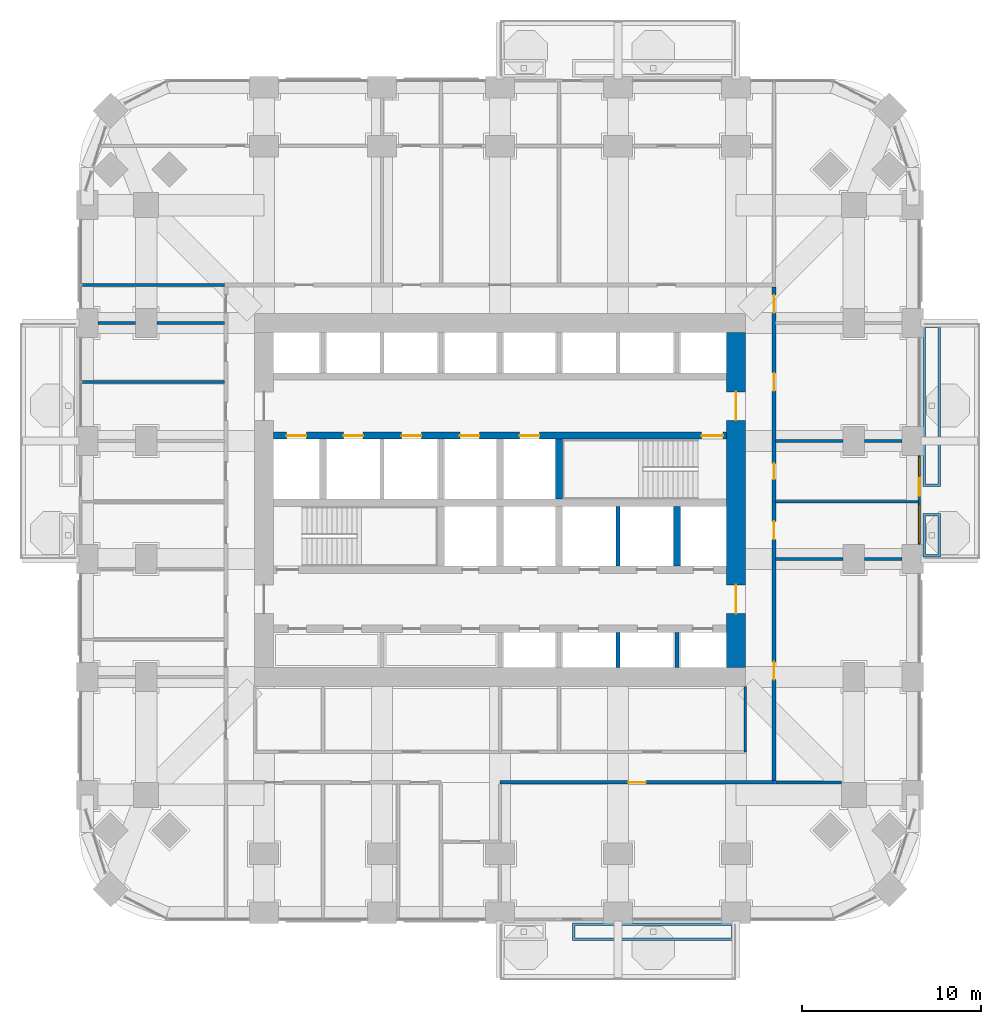
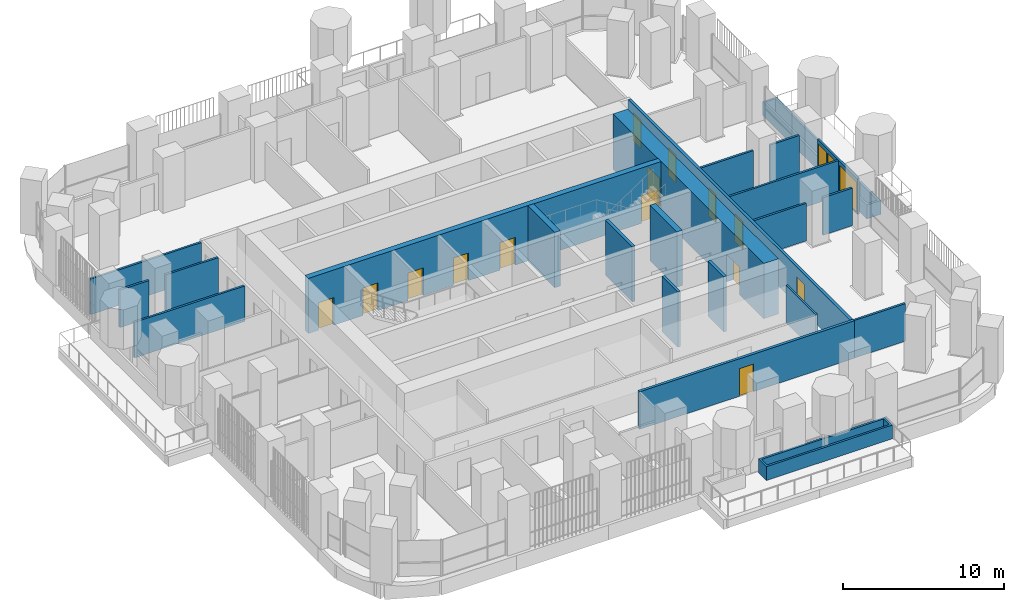
# One storey, part 15 of 21: 24 walls, 15 doors, 2 windows, 17 openings.
"""IFC4 building model written with IfcOpenShell, lengths in metres."""

import ifcopenshell
import ifcopenshell.guid

model = None  # the IFC model being written
_history = None  # IfcOwnerHistory: only IFC2X3 demands one
_inside = {}  # id of a spatial element -> (the spatial element, [elements in it])
_under = {}  # id of a project, library or spatial element -> (it, [spatial elements below it])
_declared = {}  # id of a project -> (the project, [libraries it declares])
_typed = {}  # id of a type object -> (the type object, [elements of that type])
_made_of = {}  # id of a material, layer set ... -> (it, [elements and type objects made of it])


def new_model(schema):
    """Start an empty IFC model of exactly this schema.

    Asked for "IFC4X3", IfcOpenShell would pick the latest addendum, in which some entities
    have other attributes; the version numbers below select the first issue.
    IFC2X3 requires an IfcOwnerHistory on every rooted entity: one is made here for all.
    """
    global model, _history
    if schema == "IFC4X3":
        model = ifcopenshell.file(schema_version=(4, 3, 0, 0))
    else:
        model = ifcopenshell.file(schema=schema)
    _inside.clear()
    _under.clear()
    _declared.clear()
    _typed.clear()
    _made_of.clear()
    _history = None
    if model.schema == "IFC2X3":
        org = make("IfcOrganization", Name="unknown")
        user = make(
            "IfcPersonAndOrganization",
            ThePerson=make("IfcPerson", FamilyName="unknown"),
            TheOrganization=org,
        )
        app = make(
            "IfcApplication",
            ApplicationDeveloper=org,
            Version="unknown",
            ApplicationFullName="unknown",
            ApplicationIdentifier="unknown",
        )
        _history = make(
            "IfcOwnerHistory",
            OwningUser=user,
            OwningApplication=app,
            ChangeAction="ADDED",
            CreationDate=0,
        )
    return model


def make(cls, **values):
    """One entity of the class cls with the attributes given. An attribute that is None is left unset."""
    return model.create_entity(
        cls, **{name: value for name, value in values.items() if value is not None}
    )


def rooted(cls, **values):
    """An entity with a GlobalId (a new one), such as an element, a storey or a relation."""
    return make(cls, GlobalId=ifcopenshell.guid.new(), OwnerHistory=_history, **values)


def si_unit(unit_type, name, prefix=None):
    """IfcSIUnit, for example si_unit("LENGTHUNIT", "METRE", prefix="MILLI")."""
    return make("IfcSIUnit", UnitType=unit_type, Prefix=prefix, Name=name)


def assignment(units):
    """IfcUnitAssignment: the units of a project."""
    return None if units is None else make("IfcUnitAssignment", Units=units)


def point(xyz):
    """IfcCartesianPoint."""
    return None if xyz is None else make("IfcCartesianPoint", Coordinates=xyz)


def direction(xyz):
    """IfcDirection."""
    return None if xyz is None else make("IfcDirection", DirectionRatios=xyz)


def frame(location, z_axis=None, x_axis=None):
    """IfcAxis2Placement3D, a coordinate frame: its origin and axes. An axis left out is left unset."""
    return make(
        "IfcAxis2Placement3D",
        Location=point(location),
        Axis=direction(z_axis),
        RefDirection=direction(x_axis),
    )


def frame_2d(location, x_axis=None):
    """IfcAxis2Placement2D, a coordinate frame in the plane: its origin and x axis."""
    return make(
        "IfcAxis2Placement2D", Location=point(location), RefDirection=direction(x_axis)
    )


def origin():
    """The frame at (0, 0, 0) with its axes left unset."""
    return frame((0.0, 0.0, 0.0))


def place(relative_to, where):
    """IfcLocalPlacement: puts the frame where relative to a parent placement (None: the world)."""
    return make(
        "IfcLocalPlacement", PlacementRelTo=relative_to, RelativePlacement=where
    )


def context(
    kind, dimensions, precision=None, world=None, true_north=None, identifier=None
):
    """IfcGeometricRepresentationContext, for example the 3D "Model" context."""
    return make(
        "IfcGeometricRepresentationContext",
        ContextIdentifier=identifier,
        ContextType=kind,
        CoordinateSpaceDimension=dimensions,
        Precision=precision,
        WorldCoordinateSystem=world,
        TrueNorth=true_north,
    )


def subcontext(parent, identifier, kind, view, scale=None):
    """IfcGeometricRepresentationSubContext, for example "Body" below "Model"."""
    return make(
        "IfcGeometricRepresentationSubContext",
        ContextIdentifier=identifier,
        ContextType=kind,
        ParentContext=parent,
        TargetScale=scale,
        TargetView=view,
    )


def project(units=None, contexts=None):
    """IfcProject with its units and contexts."""
    return rooted(
        "IfcProject",
        Name="project",
        RepresentationContexts=contexts,
        UnitsInContext=assignment(units),
    )


def spatial(cls, under=None, at=None, **own):
    """A site, building, storey or space (cls), placed at a placement, below another one or the project."""
    s = rooted(cls, ObjectPlacement=at, **own)
    if under is not None:
        _under.setdefault(under.id(), (under, []))[1].append(s)
    return s


def polyline(points):
    """IfcPolyline through the points."""
    return make("IfcPolyline", Points=[point(p) for p in points])


def profile(cls, at=None, kind="AREA", **sizes):
    """A parametric profile (cls). Its sizes go by their IFC names, for example OverallWidth=200.0."""
    return make(cls, ProfileType=kind, Position=at, **sizes)


def rectangle(**sizes):
    """IfcRectangleProfileDef."""
    return profile("IfcRectangleProfileDef", **sizes)


def outline(outer, holes=None, kind="AREA"):
    """IfcArbitraryClosedProfileDef: a profile drawn as a closed curve; with holes, ...WithVoids."""
    if holes is None:
        return make("IfcArbitraryClosedProfileDef", ProfileType=kind, OuterCurve=outer)
    return make(
        "IfcArbitraryProfileDefWithVoids",
        ProfileType=kind,
        OuterCurve=outer,
        InnerCurves=holes,
    )


def extrude(swept, where, along, depth):
    """IfcExtrudedAreaSolid: the profile swept, set in the frame where, extruded along a direction by depth."""
    return make(
        "IfcExtrudedAreaSolid",
        SweptArea=swept,
        Position=where,
        ExtrudedDirection=direction(along),
        Depth=depth,
    )


def shape(context_of_items, identifier, shape_type, items):
    """IfcShapeRepresentation: the items that make up one representation, for example the "Body"."""
    return make(
        "IfcShapeRepresentation",
        ContextOfItems=context_of_items,
        RepresentationIdentifier=identifier,
        RepresentationType=shape_type,
        Items=items,
    )


def material(Name=None, Category=None):
    """IfcMaterial."""
    return make("IfcMaterial", Name=Name, Category=Category)


def layer(
    of_material, thickness, ventilated=None, Name=None, Category=None, Priority=None
):
    """IfcMaterialLayer: one layer of a wall or slab, of a material (None: an air gap)."""
    return make(
        "IfcMaterialLayer",
        Material=of_material,
        LayerThickness=thickness,
        IsVentilated=ventilated,
        Name=Name,
        Category=Category,
        Priority=Priority,
    )


def layer_set(layers, Name=None):
    """IfcMaterialLayerSet."""
    return make("IfcMaterialLayerSet", MaterialLayers=layers, LayerSetName=Name)


def made_of(thing, what):
    """Note that an element or type object is made of a material, layer set ...; save() writes the relation."""
    if what is not None:
        _made_of.setdefault(what.id(), (what, []))[1].append(thing)
    return thing


def type_object(cls, material=None, **own):
    """A type object (cls), such as IfcWallType, which elements share."""
    return made_of(rooted(cls, **own), material)


def element(
    cls,
    number,
    at=None,
    inside=None,
    cuts=None,
    type_object=None,
    material=None,
    context=None,
    identifier="Body",
    shape_type=None,
    held_by="IfcProductDefinitionShape",
    body=None,
    shapes=None,
    **own,
):
    """One element of the class cls, such as IfcWall. Its Tag is "e" and its number.

    at: its placement. inside: the storey or other place that contains it. cuts: it is an
    opening in that element (IfcRelVoidsElement). A single representation is given by context,
    identifier, shape_type and body (its items); several are given by shapes. held_by: the class
    of the entity that holds the representations. save() writes the other relations.
    """
    e = rooted(cls, Tag="e%d" % number, ObjectPlacement=at, **own)
    if body is not None:
        shapes = [shape(context, identifier, shape_type, body)]
    if shapes is not None:
        e.Representation = make(held_by, Representations=shapes)
    if inside is not None:
        _inside.setdefault(inside.id(), (inside, []))[1].append(e)
    if cuts is not None:
        rooted(
            "IfcRelVoidsElement", RelatingBuildingElement=cuts, RelatedOpeningElement=e
        )
    if type_object is not None:
        _typed.setdefault(type_object.id(), (type_object, []))[1].append(e)
    return made_of(e, material)


def fill(opening, filler):
    """IfcRelFillsElement: the door or window that sits in an opening."""
    return rooted(
        "IfcRelFillsElement",
        RelatingOpeningElement=opening,
        RelatedBuildingElement=filler,
    )


def aggregate(whole, parts):
    """IfcRelAggregates: a whole, such as a stair, and the parts it consists of."""
    return rooted("IfcRelAggregates", RelatingObject=whole, RelatedObjects=parts)


def save(model, path):
    """Write the relations noted so far, then the file.

    IfcRelAggregates (storeys below a building ...), IfcRelContainedInSpatialStructure (elements
    in a storey), IfcRelDefinesByType, IfcRelAssociatesMaterial and IfcRelDeclares: one each for
    every whole, place, type object, material and project.
    """
    for whole, parts in _under.values():
        aggregate(whole, parts)
    for where, things in _inside.values():
        rooted(
            "IfcRelContainedInSpatialStructure",
            RelatedElements=things,
            RelatingStructure=where,
        )
    for kind, things in _typed.values():
        rooted("IfcRelDefinesByType", RelatedObjects=things, RelatingType=kind)
    for what, things in _made_of.values():
        rooted("IfcRelAssociatesMaterial", RelatedObjects=things, RelatingMaterial=what)
    for by, libraries in _declared.values():
        rooted("IfcRelDeclares", RelatingContext=by, RelatedDefinitions=libraries)
    model.write(path)


model = new_model("IFC4")

# Units and contexts
model_context = context("Model", 3, precision=1e-05, world=origin(), true_north=direction((0.0, 1.0)))
body_context = subcontext(model_context, "Body", "Model", "MODEL_VIEW")
ifc_project = project(units=[si_unit("LENGTHUNIT", "METRE"), si_unit("AREAUNIT", "SQUARE_METRE"), si_unit("VOLUMEUNIT", "CUBIC_METRE"), si_unit("PLANEANGLEUNIT", "RADIAN"), si_unit("MASSUNIT", "GRAM", prefix="KILO")], contexts=[model_context])

# Site, building, storey
site_placement = place(None, origin())
site = spatial("IfcSite", under=ifc_project, at=site_placement, CompositionType="ELEMENT")
building_placement = place(site_placement, origin())
building = spatial("IfcBuilding", under=site, at=building_placement, Name="Cobogo Forest Laboratory Tower", CompositionType="ELEMENT")
storey_placement = place(building_placement, frame((0.0, 0.0, 86.39990234375)))
storey = spatial("IfcBuildingStorey", under=building, at=storey_placement, Name="L19", CompositionType="ELEMENT", Elevation=86.39990234375)

# Wall, openings, doors
ifc_material_1 = material(Name="Concrete HA-50 (C50/60)", Category="concrete")
ifc_layer_1 = layer(ifc_material_1, 0.39990234375)
ifc_layer_set_1 = layer_set([ifc_layer_1], Name="CI400 core inner wall 400")
wall_type_1 = type_object("IfcWallType", Name="CI400 core inner wall 400", PredefinedType="SHEAR", material=ifc_layer_set_1)
wall_1_placement = place(storey_placement, frame((13.72509765625, 26.699951171875, 0.0), z_axis=(0.0, 0.0, 1.0), x_axis=(1.0, 0.0, 0.0)))
wall_1 = element("IfcWall", 1, at=wall_1_placement, inside=storey, type_object=wall_type_1, Name="Core wall CI-26.7 L19", PredefinedType="SHEAR", context=body_context, shape_type="SweptSolid", body=[
    extrude(rectangle(XDim=25.349853515625, YDim=0.39990234375, at=frame_2d((12.6748046875, 0.0))), origin(), (0.0, 0.0, 1.0), 4.2001953125),
])
opening_1_placement = place(wall_1_placement, frame((23.949951171875, 0.0, 0.0)))
opening_1 = element("IfcOpeningElement", 2, at=opening_1_placement, cuts=wall_1, Name="Opening L19-D30", PredefinedType="OPENING", context=body_context, shape_type="SweptSolid", body=[
    extrude(rectangle(XDim=1.199951171875, YDim=2.10009765625, at=frame_2d((0.60009765625, 1.050048828125))), frame((0.0, 0.2099609375, 0.0), z_axis=(0.0, -1.0, 0.0), x_axis=(1.0, 0.0, 0.0)), (0.0, 0.0, 1.0), 0.419921875),
])
opening_2_placement = place(wall_1_placement, frame((0.737548828125, 0.0, 0.0)))
opening_2 = element("IfcOpeningElement", 3, at=opening_2_placement, cuts=wall_1, Name="Opening L19-LD-FL1", PredefinedType="OPENING", context=body_context, shape_type="SweptSolid", body=[
    extrude(rectangle(XDim=1.10009765625, YDim=2.10009765625, at=frame_2d((0.550048828125, 1.050048828125))), frame((0.0, 0.2099609375, 0.0), z_axis=(0.0, -1.0, 0.0), x_axis=(1.0, 0.0, 0.0)), (0.0, 0.0, 1.0), 0.419921875),
])
opening_3_placement = place(wall_1_placement, frame((3.925048828125, 0.0, 0.0)))
opening_3 = element("IfcOpeningElement", 4, at=opening_3_placement, cuts=wall_1, Name="Opening L19-LD-LS3", PredefinedType="OPENING", context=body_context, shape_type="SweptSolid", body=[
    extrude(rectangle(XDim=1.10009765625, YDim=2.10009765625, at=frame_2d((0.550048828125, 1.050048828125))), frame((0.0, 0.2099609375, 0.0), z_axis=(0.0, -1.0, 0.0), x_axis=(1.0, 0.0, 0.0)), (0.0, 0.0, 1.0), 0.419921875),
])
opening_4_placement = place(wall_1_placement, frame((7.175048828125, 0.0, 0.0)))
opening_4 = element("IfcOpeningElement", 5, at=opening_4_placement, cuts=wall_1, Name="Opening L19-LD-LS4", PredefinedType="OPENING", context=body_context, shape_type="SweptSolid", body=[
    extrude(rectangle(XDim=1.10009765625, YDim=2.10009765625, at=frame_2d((0.550048828125, 1.050048828125))), frame((0.0, 0.2099609375, 0.0), z_axis=(0.0, -1.0, 0.0), x_axis=(1.0, 0.0, 0.0)), (0.0, 0.0, 1.0), 0.419921875),
])
opening_5_placement = place(wall_1_placement, frame((10.425048828125, 0.0, 0.0)))
opening_5 = element("IfcOpeningElement", 6, at=opening_5_placement, cuts=wall_1, Name="Opening L19-LD-LS5", PredefinedType="OPENING", context=body_context, shape_type="SweptSolid", body=[
    extrude(rectangle(XDim=1.10009765625, YDim=2.10009765625, at=frame_2d((0.550048828125, 1.050048828125))), frame((0.0, 0.2099609375, 0.0), z_axis=(0.0, -1.0, 0.0), x_axis=(1.0, 0.0, 0.0)), (0.0, 0.0, 1.0), 0.419921875),
])
opening_6_placement = place(wall_1_placement, frame((13.77490234375, 0.0, 0.0)))
opening_6 = element("IfcOpeningElement", 7, at=opening_6_placement, cuts=wall_1, Name="Opening L19-LD-LS6", PredefinedType="OPENING", context=body_context, shape_type="SweptSolid", body=[
    extrude(rectangle(XDim=1.10009765625, YDim=2.10009765625, at=frame_2d((0.550048828125, 1.050048828125))), frame((0.0, 0.2099609375, 0.0), z_axis=(0.0, -1.0, 0.0), x_axis=(1.0, 0.0, 0.0)), (0.0, 0.0, 1.0), 0.419921875),
])
ifc_material_2 = material(Name="Steel fire door", Category="steel")
door_type_1 = type_object("IfcDoorType", Name="DS1 protected stair door 1200 EI2 60", OperationType="SINGLE_SWING_LEFT", PredefinedType="DOOR", material=ifc_material_2)
door_1_placement = place(opening_1_placement, origin())
door_1 = element("IfcDoor", 8, at=door_1_placement, inside=storey, type_object=door_type_1, Name="Door L19-ST2", OperationType="SINGLE_SWING_RIGHT", OverallHeight=2.10009765625, OverallWidth=1.199951171875, PredefinedType="DOOR", context=body_context, shape_type="SweptSolid", body=[
    extrude(rectangle(XDim=1.199951171875, YDim=2.10009765625, at=frame_2d((0.60009765625, 1.050048828125))), frame((0.0, 0.02490234375, 0.0), z_axis=(0.0, -1.0, 0.0), x_axis=(1.0, 0.0, 0.0)), (0.0, 0.0, 1.0), 0.050048828125),
])
fill(opening_1, door_1)
ifc_material_3 = material(Name="Stainless steel lift door", Category="steel")
door_type_2 = type_object("IfcDoorType", Name="LD lift landing door 1100", OperationType="DOUBLE_DOOR_SLIDING", PredefinedType="DOOR", material=ifc_material_3)
door_2_placement = place(opening_2_placement, origin())
door_2 = element("IfcDoor", 9, at=door_2_placement, inside=storey, type_object=door_type_2, Name="Lift landing door FL1 L19", OperationType="DOUBLE_DOOR_SLIDING", OverallHeight=2.10009765625, OverallWidth=1.10009765625, PredefinedType="DOOR", context=body_context, shape_type="SweptSolid", body=[
    extrude(rectangle(XDim=1.10009765625, YDim=2.10009765625, at=frame_2d((0.550048828125, 1.050048828125))), frame((0.0, 0.02490234375, 0.0), z_axis=(0.0, -1.0, 0.0), x_axis=(1.0, 0.0, 0.0)), (0.0, 0.0, 1.0), 0.050048828125),
])
fill(opening_2, door_2)
door_3_placement = place(opening_3_placement, origin())
door_3 = element("IfcDoor", 10, at=door_3_placement, inside=storey, type_object=door_type_2, Name="Lift landing door LS3 L19", OperationType="DOUBLE_DOOR_SLIDING", OverallHeight=2.10009765625, OverallWidth=1.10009765625, PredefinedType="DOOR", context=body_context, shape_type="SweptSolid", body=[
    extrude(rectangle(XDim=1.10009765625, YDim=2.10009765625, at=frame_2d((0.550048828125, 1.050048828125))), frame((0.0, 0.02490234375, 0.0), z_axis=(0.0, -1.0, 0.0), x_axis=(1.0, 0.0, 0.0)), (0.0, 0.0, 1.0), 0.050048828125),
])
fill(opening_3, door_3)
door_4_placement = place(opening_4_placement, origin())
door_4 = element("IfcDoor", 11, at=door_4_placement, inside=storey, type_object=door_type_2, Name="Lift landing door LS4 L19", OperationType="DOUBLE_DOOR_SLIDING", OverallHeight=2.10009765625, OverallWidth=1.10009765625, PredefinedType="DOOR", context=body_context, shape_type="SweptSolid", body=[
    extrude(rectangle(XDim=1.10009765625, YDim=2.10009765625, at=frame_2d((0.550048828125, 1.050048828125))), frame((0.0, 0.02490234375, 0.0), z_axis=(0.0, -1.0, 0.0), x_axis=(1.0, 0.0, 0.0)), (0.0, 0.0, 1.0), 0.050048828125),
])
fill(opening_4, door_4)
door_5_placement = place(opening_5_placement, origin())
door_5 = element("IfcDoor", 12, at=door_5_placement, inside=storey, type_object=door_type_2, Name="Lift landing door LS5 L19", OperationType="DOUBLE_DOOR_SLIDING", OverallHeight=2.10009765625, OverallWidth=1.10009765625, PredefinedType="DOOR", context=body_context, shape_type="SweptSolid", body=[
    extrude(rectangle(XDim=1.10009765625, YDim=2.10009765625, at=frame_2d((0.550048828125, 1.050048828125))), frame((0.0, 0.02490234375, 0.0), z_axis=(0.0, -1.0, 0.0), x_axis=(1.0, 0.0, 0.0)), (0.0, 0.0, 1.0), 0.050048828125),
])
fill(opening_5, door_5)
door_6_placement = place(opening_6_placement, origin())
door_6 = element("IfcDoor", 13, at=door_6_placement, inside=storey, type_object=door_type_2, Name="Lift landing door LS6 L19", OperationType="DOUBLE_DOOR_SLIDING", OverallHeight=2.10009765625, OverallWidth=1.10009765625, PredefinedType="DOOR", context=body_context, shape_type="SweptSolid", body=[
    extrude(rectangle(XDim=1.10009765625, YDim=2.10009765625, at=frame_2d((0.550048828125, 1.050048828125))), frame((0.0, 0.02490234375, 0.0), z_axis=(0.0, -1.0, 0.0), x_axis=(1.0, 0.0, 0.0)), (0.0, 0.0, 1.0), 0.050048828125),
])
fill(opening_6, door_6)

# Walls
for number, where, z_axis, x_axis, name in (
    (14, (36.300048828125, 19.39990234375, 0.0), (0.0, 0.0, 1.0), (0.0, 1.0, 0.0), "Core wall CX-36.3 L19"),
    (15, (29.699951171875, 23.14990234375, 0.0), (0.0, 0.0, 1.0), (0.0, 1.0, 0.0), "Core wall CX-29.7N L19"),
):
    element("IfcWall", number, at=place(storey_placement, frame(where, z_axis=z_axis, x_axis=x_axis)), inside=storey, type_object=wall_type_1, Name=name, PredefinedType="SHEAR", context=body_context, shape_type="SweptSolid", body=[
        extrude(rectangle(XDim=3.35009765625, YDim=0.39990234375, at=frame_2d((1.675048828125, 0.0))), origin(), (0.0, 0.0, 1.0), 4.2001953125),
    ])

# Wall, openings, doors
ifc_layer_2 = layer(ifc_material_1, 1.050048828125)
ifc_layer_set_2 = layer_set([ifc_layer_2], Name="CW1050 core outer wall 1050")
wall_type_2 = type_object("IfcWallType", Name="CW1050 core outer wall 1050", PredefinedType="SHEAR", material=ifc_layer_set_2)
wall_2_placement = place(storey_placement, frame((39.60009765625, 13.72509765625, 0.0), z_axis=(0.0, 0.0, 1.0), x_axis=(0.0, 1.0, 0.0)))
wall_2 = element("IfcWall", 16, at=wall_2_placement, inside=storey, type_object=wall_type_2, Name="Core wall CO-E L19", PredefinedType="SHEAR", context=body_context, shape_type="SweptSolid", body=[
    extrude(rectangle(XDim=18.75, YDim=1.050048828125, at=frame_2d((9.375, 0.0))), origin(), (0.0, 0.0, 1.0), 4.2001953125),
])
opening_7_placement = place(wall_2_placement, frame((3.02490234375, 0.0, 0.0)))
opening_7 = element("IfcOpeningElement", 17, at=opening_7_placement, cuts=wall_2, Name="Opening L19-D20", PredefinedType="OPENING", context=body_context, shape_type="SweptSolid", body=[
    extrude(rectangle(XDim=1.60009765625, YDim=2.10009765625, at=frame_2d((0.800048828125, 1.050048828125))), frame((0.0, 0.534912109375, 0.0), z_axis=(0.0, -1.0, 0.0), x_axis=(1.0, 0.0, 0.0)), (0.0, 0.0, 1.0), 1.070068359375),
])
opening_8_placement = place(wall_2_placement, frame((13.824951171875, 0.0, 0.0)))
opening_8 = element("IfcOpeningElement", 18, at=opening_8_placement, cuts=wall_2, Name="Opening L19-D33", PredefinedType="OPENING", context=body_context, shape_type="SweptSolid", body=[
    extrude(rectangle(XDim=1.60009765625, YDim=2.10009765625, at=frame_2d((0.800048828125, 1.050048828125))), frame((0.0, 0.534912109375, 0.0), z_axis=(0.0, -1.0, 0.0), x_axis=(1.0, 0.0, 0.0)), (0.0, 0.0, 1.0), 1.070068359375),
])
door_type_3 = type_object("IfcDoorType", Name="DS2 protected lobby door pair 1600 EI2 60", OperationType="DOUBLE_DOOR_DOUBLE_SWING", PredefinedType="DOOR", material=ifc_material_2)
door_7_placement = place(opening_7_placement, origin())
door_7 = element("IfcDoor", 19, at=door_7_placement, inside=storey, type_object=door_type_3, Name="Door L19-CO-E-S", OperationType="DOUBLE_DOOR_DOUBLE_SWING", OverallHeight=2.10009765625, OverallWidth=1.60009765625, PredefinedType="DOOR", context=body_context, shape_type="SweptSolid", body=[
    extrude(rectangle(XDim=1.60009765625, YDim=2.10009765625, at=frame_2d((0.800048828125, 1.050048828125))), frame((0.0, 0.02490234375, 0.0), z_axis=(0.0, -1.0, 0.0), x_axis=(1.0, 0.0, 0.0)), (0.0, 0.0, 1.0), 0.050048828125),
])
fill(opening_7, door_7)
door_8_placement = place(opening_8_placement, origin())
door_8 = element("IfcDoor", 20, at=door_8_placement, inside=storey, type_object=door_type_3, Name="Door L19-CO-E-N", OperationType="DOUBLE_DOOR_DOUBLE_SWING", OverallHeight=2.10009765625, OverallWidth=1.60009765625, PredefinedType="DOOR", context=body_context, shape_type="SweptSolid", body=[
    extrude(rectangle(XDim=1.60009765625, YDim=2.10009765625, at=frame_2d((0.800048828125, 1.050048828125))), frame((0.0, 0.02490234375, 0.0), z_axis=(0.0, -1.0, 0.0), x_axis=(1.0, 0.0, 0.0)), (0.0, 0.0, 1.0), 0.050048828125),
])
fill(opening_8, door_8)

# Wall, openings, door, windows
ifc_material_4 = material(Name="Aluminium framed glazed screen", Category="aluminium")
ifc_layer_3 = layer(ifc_material_4, 0.14990234375)
ifc_layer_set_3 = layer_set([ifc_layer_3], Name="GS1 glazed door screen 150")
wall_type_3 = type_object("IfcWallType", Name="GS1 glazed door screen 150", PredefinedType="SOLIDWALL", material=ifc_layer_set_3)
wall_3_placement = place(storey_placement, frame((49.85009765625, 20.60009765625, 0.0), z_axis=(0.0, 0.0, 1.0), x_axis=(0.0, 1.0, 0.0)))
wall_3 = element("IfcWall", 21, at=wall_3_placement, inside=storey, type_object=wall_type_3, Name="Door screen BAL-E1 L19", PredefinedType="SOLIDWALL", context=body_context, shape_type="SweptSolid", body=[
    extrude(rectangle(XDim=5.0, YDim=0.14990234375, at=frame_2d((2.5, 0.0))), origin(), (0.0, 0.0, 1.0), 2.7001953125),
])
opening_9_placement = place(wall_3_placement, frame((2.75, 0.0, 0.0)))
opening_9 = element("IfcOpeningElement", 22, at=opening_9_placement, cuts=wall_3, Name="Opening L19-D27", PredefinedType="OPENING", context=body_context, shape_type="SweptSolid", body=[
    extrude(rectangle(XDim=1.0, YDim=2.39990234375, at=frame_2d((0.5, 1.199951171875))), frame((0.0, 0.0849609375, 0.0), z_axis=(0.0, -1.0, 0.0), x_axis=(1.0, 0.0, 0.0)), (0.0, 0.0, 1.0), 0.169921875),
])
opening_10_placement = place(wall_3_placement, frame((0.10009765625, 0.0, 0.10009765625)))
opening_10 = element("IfcOpeningElement", 23, at=opening_10_placement, cuts=wall_3, Name="Opening L19-W04", PredefinedType="OPENING", context=body_context, shape_type="SweptSolid", body=[
    extrude(rectangle(XDim=2.14990234375, YDim=2.300048828125, at=frame_2d((1.074951171875, 1.14990234375))), frame((0.0, 0.0849609375, 0.0), z_axis=(0.0, -1.0, 0.0), x_axis=(1.0, 0.0, 0.0)), (0.0, 0.0, 1.0), 0.169921875),
])
opening_11_placement = place(wall_3_placement, frame((3.85009765625, 0.0, 0.10009765625)))
opening_11 = element("IfcOpeningElement", 24, at=opening_11_placement, cuts=wall_3, Name="Opening L19-W06", PredefinedType="OPENING", context=body_context, shape_type="SweptSolid", body=[
    extrude(rectangle(XDim=1.050048828125, YDim=2.300048828125, at=frame_2d((0.52490234375, 1.14990234375))), frame((0.0, 0.0849609375, 0.0), z_axis=(0.0, -1.0, 0.0), x_axis=(1.0, 0.0, 0.0)), (0.0, 0.0, 1.0), 0.169921875),
])
ifc_material_5 = material(Name="Aluminium glazed door", Category="aluminium")
door_type_4 = type_object("IfcDoorType", Name="DB1 balcony door 1000 glazed", OperationType="SINGLE_SWING_LEFT", PredefinedType="DOOR", material=ifc_material_5)
door_9_placement = place(opening_9_placement, origin())
door_9 = element("IfcDoor", 25, at=door_9_placement, inside=storey, type_object=door_type_4, Name="Door L19-BAL-E1", OperationType="SINGLE_SWING_RIGHT", OverallHeight=2.39990234375, OverallWidth=1.0, PredefinedType="DOOR", context=body_context, shape_type="SweptSolid", body=[
    extrude(rectangle(XDim=1.0, YDim=2.39990234375, at=frame_2d((0.5, 1.199951171875))), frame((0.0, 0.02490234375, 0.0), z_axis=(0.0, -1.0, 0.0), x_axis=(1.0, 0.0, 0.0)), (0.0, 0.0, 1.0), 0.050048828125),
])
fill(opening_9, door_9)
ifc_material_6 = material(Name="Aluminium framed glazing", Category="aluminium")
window_type_1 = type_object("IfcWindowType", Name="WG13 fixed glazed light 2150x2300", PartitioningType="SINGLE_PANEL", PredefinedType="WINDOW", material=ifc_material_6)
window_1_placement = place(opening_10_placement, origin())
window_1 = element("IfcWindow", 26, at=window_1_placement, inside=storey, type_object=window_type_1, Name="Window L19-BAL-E1-1", OverallHeight=2.300048828125, OverallWidth=2.14990234375, PartitioningType="SINGLE_PANEL", PredefinedType="WINDOW", context=body_context, shape_type="SweptSolid", body=[
    extrude(rectangle(XDim=2.14990234375, YDim=2.300048828125, at=frame_2d((1.074951171875, 1.14990234375))), frame((0.0, 0.030029296875, 0.0), z_axis=(0.0, -1.0, 0.0), x_axis=(1.0, 0.0, 0.0)), (0.0, 0.0, 1.0), 0.06005859375),
])
fill(opening_10, window_1)
window_type_2 = type_object("IfcWindowType", Name="WG14 fixed glazed light 1050x2300", PartitioningType="SINGLE_PANEL", PredefinedType="WINDOW", material=ifc_material_6)
window_2_placement = place(opening_11_placement, origin())
window_2 = element("IfcWindow", 27, at=window_2_placement, inside=storey, type_object=window_type_2, Name="Window L19-BAL-E1-2", OverallHeight=2.300048828125, OverallWidth=1.050048828125, PartitioningType="SINGLE_PANEL", PredefinedType="WINDOW", context=body_context, shape_type="SweptSolid", body=[
    extrude(rectangle(XDim=1.050048828125, YDim=2.300048828125, at=frame_2d((0.52490234375, 1.14990234375))), frame((0.0, 0.030029296875, 0.0), z_axis=(0.0, -1.0, 0.0), x_axis=(1.0, 0.0, 0.0)), (0.0, 0.0, 1.0), 0.06005859375),
])
fill(opening_11, window_2)

# Walls
ifc_material_7 = material(Name="Gypsum board on steel studs", Category="steel")
ifc_layer_4 = layer(ifc_material_7, 0.14990234375)
ifc_layer_set_4 = layer_set([ifc_layer_4], Name="PT1 laboratory partition 150")
wall_type_4 = type_object("IfcWallType", Name="PT1 laboratory partition 150", PredefinedType="PARTITIONING", material=ifc_layer_set_4)
for number, where, z_axis, x_axis, name in (
    (28, (40.125, 12.675048828125, 0.0), (0.0, 0.0, 1.0), (0.0, -1.0, 0.0), "Partition CSTRIP-SE L19"),
    (29, (45.5, 7.300048828125, 0.0), (0.0, 0.0, 1.0), (-1.0, 0.0, 0.0), "Partition PW-SE L19"),
):
    element("IfcWall", number, at=place(storey_placement, frame(where, z_axis=z_axis, x_axis=x_axis)), inside=storey, type_object=wall_type_4, Name=name, PredefinedType="PARTITIONING", context=body_context, shape_type="SweptSolid", body=[
        extrude(rectangle(XDim=3.675048828125, YDim=0.14990234375, at=frame_2d((1.83740234375, 0.0))), origin(), (0.0, 0.0, 1.0), 2.85009765625),
    ])
for number, where, z_axis, x_axis, name in (
    (30, (3.030029296875, 35.125, 0.0), (0.0, 0.0, 1.0), (1.0, 0.0, 0.0), "Partition PW-NW L19"),
    (31, (49.77001953125, 23.0, 0.0), (0.0, 0.0, 1.0), (-1.0, 0.0, 0.0), "Partition SVC-E1-1 L19"),
):
    element("IfcWall", number, at=place(storey_placement, frame(where, z_axis=z_axis, x_axis=x_axis)), inside=storey, type_object=wall_type_4, Name=name, PredefinedType="PARTITIONING", context=body_context, shape_type="SweptSolid", body=[
        extrude(rectangle(XDim=7.945068359375, YDim=0.14990234375, at=frame_2d((3.97265625, 0.0))), origin(), (0.0, 0.0, 1.0), 2.7001953125),
    ])
wall_4_placement = place(storey_placement, frame((48.89990234375, 26.39990234375, 0.0), z_axis=(0.0, 0.0, 1.0), x_axis=(-1.0, 0.0, 0.0)))
element("IfcWall", 32, at=wall_4_placement, inside=storey, type_object=wall_type_4, Name="Partition SVC-E2-1 L19", PredefinedType="PARTITIONING", context=body_context, shape_type="SweptSolid", body=[
    extrude(rectangle(XDim=2.099853515625, YDim=0.14990234375, at=frame_2d((1.0498046875, 0.0))), origin(), (0.0, 0.0, 1.0), 2.85009765625),
])
wall_5_placement = place(storey_placement, frame((45.60009765625, 26.39990234375, 0.0), z_axis=(0.0, 0.0, 1.0), x_axis=(-1.0, 0.0, 0.0)))
element("IfcWall", 33, at=wall_5_placement, inside=storey, type_object=wall_type_4, Name="Partition SVC-E2-2 L19", PredefinedType="PARTITIONING", context=body_context, shape_type="SweptSolid", body=[
    extrude(rectangle(XDim=3.775146484375, YDim=0.14990234375, at=frame_2d((1.8876953125, 0.0))), origin(), (0.0, 0.0, 1.0), 2.85009765625),
])
wall_6_placement = place(storey_placement, frame((48.89990234375, 19.800048828125, 0.0), z_axis=(0.0, 0.0, 1.0), x_axis=(-1.0, 0.0, 0.0)))
element("IfcWall", 34, at=wall_6_placement, inside=storey, type_object=wall_type_4, Name="Partition CUT-E19.8-1 L19", PredefinedType="PARTITIONING", context=body_context, shape_type="SweptSolid", body=[
    extrude(rectangle(XDim=2.099853515625, YDim=0.14990234375, at=frame_2d((1.0498046875, 0.0))), origin(), (0.0, 0.0, 1.0), 2.85009765625),
])
wall_7_placement = place(storey_placement, frame((45.60009765625, 19.800048828125, 0.0), z_axis=(0.0, 0.0, 1.0), x_axis=(-1.0, 0.0, 0.0)))
element("IfcWall", 35, at=wall_7_placement, inside=storey, type_object=wall_type_4, Name="Partition CUT-E19.8-2 L19", PredefinedType="PARTITIONING", context=body_context, shape_type="SweptSolid", body=[
    extrude(rectangle(XDim=3.775146484375, YDim=0.14990234375, at=frame_2d((1.8876953125, 0.0))), origin(), (0.0, 0.0, 1.0), 2.85009765625),
])
wall_8_placement = place(storey_placement, frame((3.030029296875, 29.699951171875, 0.0), z_axis=(0.0, 0.0, 1.0), x_axis=(1.0, 0.0, 0.0)))
element("IfcWall", 36, at=wall_8_placement, inside=storey, type_object=wall_type_4, Name="Partition CUT-W29.7-1 L19", PredefinedType="PARTITIONING", context=body_context, shape_type="SweptSolid", body=[
    extrude(rectangle(XDim=7.945068359375, YDim=0.14990234375, at=frame_2d((3.97265625, 0.0))), origin(), (0.0, 0.0, 1.0), 2.7001953125),
])
wall_9_placement = place(storey_placement, frame((3.89990234375, 33.0, 0.0), z_axis=(0.0, 0.0, 1.0), x_axis=(1.0, 0.0, 0.0)))
element("IfcWall", 37, at=wall_9_placement, inside=storey, type_object=wall_type_4, Name="Partition CUT-W33-1 L19", PredefinedType="PARTITIONING", context=body_context, shape_type="SweptSolid", body=[
    extrude(rectangle(XDim=2.10009765625, YDim=0.14990234375, at=frame_2d((1.050048828125, 0.0))), origin(), (0.0, 0.0, 1.0), 2.85009765625),
])
wall_10_placement = place(storey_placement, frame((7.199951171875, 33.0, 0.0), z_axis=(0.0, 0.0, 1.0), x_axis=(1.0, 0.0, 0.0)))
element("IfcWall", 38, at=wall_10_placement, inside=storey, type_object=wall_type_4, Name="Partition CUT-W33-2 L19", PredefinedType="PARTITIONING", context=body_context, shape_type="SweptSolid", body=[
    extrude(rectangle(XDim=3.775146484375, YDim=0.14990234375, at=frame_2d((1.8876953125, 0.0))), origin(), (0.0, 0.0, 1.0), 2.85009765625),
])

# Wall, opening, door
ifc_layer_5 = layer(ifc_material_7, 0.199951171875)
ifc_layer_set_5 = layer_set([ifc_layer_5], Name="PT2 fire-rated corridor partition 200")
wall_type_5 = type_object("IfcWallType", Name="PT2 fire-rated corridor partition 200", PredefinedType="PARTITIONING", material=ifc_layer_set_5)
wall_11_placement = place(storey_placement, frame((26.39990234375, 7.300048828125, 0.0), z_axis=(0.0, 0.0, 1.0), x_axis=(1.0, 0.0, 0.0)))
wall_11 = element("IfcWall", 39, at=wall_11_placement, inside=storey, type_object=wall_type_5, Name="Partition CORR-S-2 L19", PredefinedType="PARTITIONING", context=body_context, shape_type="SweptSolid", body=[
    extrude(rectangle(XDim=15.425048828125, YDim=0.199951171875, at=frame_2d((7.71240234375, 0.0))), origin(), (0.0, 0.0, 1.0), 2.85009765625),
])
opening_12_placement = place(wall_11_placement, frame((7.16259765625, 0.0, 0.0)))
opening_12 = element("IfcOpeningElement", 40, at=opening_12_placement, cuts=wall_11, Name="Opening L19-D06", PredefinedType="OPENING", context=body_context, shape_type="SweptSolid", body=[
    extrude(rectangle(XDim=1.0, YDim=2.10009765625, at=frame_2d((0.5, 1.050048828125))), frame((0.0, 0.10986328125, 0.0), z_axis=(0.0, -1.0, 0.0), x_axis=(1.0, 0.0, 0.0)), (0.0, 0.0, 1.0), 0.219970703125),
])
ifc_material_8 = material(Name="Timber fire door", Category="wood")
door_type_5 = type_object("IfcDoorType", Name="FD2 fire door 1000 EI2 30", OperationType="SINGLE_SWING_LEFT", PredefinedType="DOOR", material=ifc_material_8)
door_10_placement = place(opening_12_placement, origin())
door_10 = element("IfcDoor", 41, at=door_10_placement, inside=storey, type_object=door_type_5, Name="Door L19-S4", OperationType="SINGLE_SWING_LEFT", OverallHeight=2.10009765625, OverallWidth=1.0, PredefinedType="DOOR", context=body_context, shape_type="SweptSolid", body=[
    extrude(rectangle(XDim=1.0, YDim=2.10009765625, at=frame_2d((0.5, 1.050048828125))), frame((0.0, 0.02490234375, 0.0), z_axis=(0.0, -1.0, 0.0), x_axis=(1.0, 0.0, 0.0)), (0.0, 0.0, 1.0), 0.050048828125),
])
fill(opening_12, door_10)

# Wall, openings, doors
wall_12_placement = place(storey_placement, frame((41.72509765625, 7.39990234375, 0.0), z_axis=(0.0, 0.0, 1.0), x_axis=(0.0, 1.0, 0.0)))
wall_12 = element("IfcWall", 42, at=wall_12_placement, inside=storey, type_object=wall_type_5, Name="Partition CORR-E L19", PredefinedType="PARTITIONING", context=body_context, shape_type="SweptSolid", body=[
    extrude(rectangle(XDim=27.625, YDim=0.199951171875, at=frame_2d((13.8125, 0.0))), origin(), (0.0, 0.0, 1.0), 2.85009765625),
])
opening_13_placement = place(wall_12_placement, frame((5.64990234375, 0.0, 0.0)))
opening_13 = element("IfcOpeningElement", 43, at=opening_13_placement, cuts=wall_12, Name="Opening L19-D12", PredefinedType="OPENING", context=body_context, shape_type="SweptSolid", body=[
    extrude(rectangle(XDim=1.0, YDim=2.10009765625, at=frame_2d((0.5, 1.050048828125))), frame((0.0, 0.10986328125, 0.0), z_axis=(0.0, -1.0, 0.0), x_axis=(1.0, 0.0, 0.0)), (0.0, 0.0, 1.0), 0.219970703125),
])
opening_14_placement = place(wall_12_placement, frame((13.5, 0.0, 0.0)))
opening_14 = element("IfcOpeningElement", 44, at=opening_14_placement, cuts=wall_12, Name="Opening L19-D25", PredefinedType="OPENING", context=body_context, shape_type="SweptSolid", body=[
    extrude(rectangle(XDim=1.0, YDim=2.10009765625, at=frame_2d((0.5, 1.050048828125))), frame((0.0, 0.10986328125, 0.0), z_axis=(0.0, -1.0, 0.0), x_axis=(1.0, 0.0, 0.0)), (0.0, 0.0, 1.0), 0.219970703125),
])
opening_15_placement = place(wall_12_placement, frame((16.85009765625, 0.0, 0.0)))
opening_15 = element("IfcOpeningElement", 45, at=opening_15_placement, cuts=wall_12, Name="Opening L19-D29", PredefinedType="OPENING", context=body_context, shape_type="SweptSolid", body=[
    extrude(rectangle(XDim=0.89990234375, YDim=2.10009765625, at=frame_2d((0.449951171875, 1.050048828125))), frame((0.0, 0.10986328125, 0.0), z_axis=(0.0, -1.0, 0.0), x_axis=(1.0, 0.0, 0.0)), (0.0, 0.0, 1.0), 0.219970703125),
])
opening_16_placement = place(wall_12_placement, frame((21.800048828125, 0.0, 0.0)))
opening_16 = element("IfcOpeningElement", 46, at=opening_16_placement, cuts=wall_12, Name="Opening L19-D34", PredefinedType="OPENING", context=body_context, shape_type="SweptSolid", body=[
    extrude(rectangle(XDim=1.0, YDim=2.10009765625, at=frame_2d((0.5, 1.050048828125))), frame((0.0, 0.10986328125, 0.0), z_axis=(0.0, -1.0, 0.0), x_axis=(1.0, 0.0, 0.0)), (0.0, 0.0, 1.0), 0.219970703125),
])
opening_17_placement = place(wall_12_placement, frame((26.16259765625, 0.0, 0.0)))
opening_17 = element("IfcOpeningElement", 47, at=opening_17_placement, cuts=wall_12, Name="Opening L19-D37", PredefinedType="OPENING", context=body_context, shape_type="SweptSolid", body=[
    extrude(rectangle(XDim=1.0, YDim=2.10009765625, at=frame_2d((0.5, 1.050048828125))), frame((0.0, 0.10986328125, 0.0), z_axis=(0.0, -1.0, 0.0), x_axis=(1.0, 0.0, 0.0)), (0.0, 0.0, 1.0), 0.219970703125),
])
door_type_6 = type_object("IfcDoorType", Name="FD1 fire door 1000 EI2 60", OperationType="SINGLE_SWING_LEFT", PredefinedType="DOOR", material=ifc_material_2)
door_11_placement = place(opening_14_placement, origin())
door_11 = element("IfcDoor", 48, at=door_11_placement, inside=storey, type_object=door_type_6, Name="Door L19-ELEC", OperationType="SINGLE_SWING_RIGHT", OverallHeight=2.10009765625, OverallWidth=1.0, PredefinedType="DOOR", context=body_context, shape_type="SweptSolid", body=[
    extrude(rectangle(XDim=1.0, YDim=2.10009765625, at=frame_2d((0.5, 1.050048828125))), frame((0.0, 0.02490234375, 0.0), z_axis=(0.0, -1.0, 0.0), x_axis=(1.0, 0.0, 0.0)), (0.0, 0.0, 1.0), 0.050048828125),
])
fill(opening_14, door_11)
door_12_placement = place(opening_13_placement, origin())
door_12 = element("IfcDoor", 49, at=door_12_placement, inside=storey, type_object=door_type_5, Name="Door L19-E1", OperationType="SINGLE_SWING_LEFT", OverallHeight=2.10009765625, OverallWidth=1.0, PredefinedType="DOOR", context=body_context, shape_type="SweptSolid", body=[
    extrude(rectangle(XDim=1.0, YDim=2.10009765625, at=frame_2d((0.5, 1.050048828125))), frame((0.0, 0.02490234375, 0.0), z_axis=(0.0, -1.0, 0.0), x_axis=(1.0, 0.0, 0.0)), (0.0, 0.0, 1.0), 0.050048828125),
])
fill(opening_13, door_12)
door_13_placement = place(opening_16_placement, origin())
door_13 = element("IfcDoor", 50, at=door_13_placement, inside=storey, type_object=door_type_5, Name="Door L19-E2", OperationType="SINGLE_SWING_RIGHT", OverallHeight=2.10009765625, OverallWidth=1.0, PredefinedType="DOOR", context=body_context, shape_type="SweptSolid", body=[
    extrude(rectangle(XDim=1.0, YDim=2.10009765625, at=frame_2d((0.5, 1.050048828125))), frame((0.0, 0.02490234375, 0.0), z_axis=(0.0, -1.0, 0.0), x_axis=(1.0, 0.0, 0.0)), (0.0, 0.0, 1.0), 0.050048828125),
])
fill(opening_16, door_13)
door_14_placement = place(opening_17_placement, origin())
door_14 = element("IfcDoor", 51, at=door_14_placement, inside=storey, type_object=door_type_5, Name="Door L19-E3", OperationType="SINGLE_SWING_RIGHT", OverallHeight=2.10009765625, OverallWidth=1.0, PredefinedType="DOOR", context=body_context, shape_type="SweptSolid", body=[
    extrude(rectangle(XDim=1.0, YDim=2.10009765625, at=frame_2d((0.5, 1.050048828125))), frame((0.0, 0.02490234375, 0.0), z_axis=(0.0, -1.0, 0.0), x_axis=(1.0, 0.0, 0.0)), (0.0, 0.0, 1.0), 0.050048828125),
])
fill(opening_17, door_14)
door_type_7 = type_object("IfcDoorType", Name="FD4 riser access door 900 EI2 60", OperationType="SINGLE_SWING_LEFT", PredefinedType="DOOR", material=ifc_material_2)
door_15_placement = place(opening_15_placement, origin())
door_15 = element("IfcDoor", 52, at=door_15_placement, inside=storey, type_object=door_type_7, Name="Door L19-COMMS", OperationType="SINGLE_SWING_RIGHT", OverallHeight=2.10009765625, OverallWidth=0.89990234375, PredefinedType="DOOR", context=body_context, shape_type="SweptSolid", body=[
    extrude(rectangle(XDim=0.89990234375, YDim=2.10009765625, at=frame_2d((0.449951171875, 1.050048828125))), frame((0.0, 0.02490234375, 0.0), z_axis=(0.0, -1.0, 0.0), x_axis=(1.0, 0.0, 0.0)), (0.0, 0.0, 1.0), 0.050048828125),
])
fill(opening_15, door_15)

# Walls
ifc_material_9 = material(Name="Concrete HA-40 (C40/50)", Category="concrete")
ifc_layer_6 = layer(ifc_material_9, 0.14990234375)
ifc_layer_set_6 = layer_set([ifc_layer_6], Name="Planter box 1000x1050")
wall_type_6 = type_object("IfcWallType", Name="Planter box 1000x1050", PredefinedType="USERDEFINED", material=ifc_layer_set_6)
wall_13_placement = place(storey_placement, origin())
element("IfcWall", 53, at=wall_13_placement, inside=storey, type_object=wall_type_6, Name="Planter BAL-S1-2 L19", ObjectType="PLANTER", PredefinedType="USERDEFINED", context=body_context, shape_type="SweptSolid", body=[
    extrude(outline(polyline([(30.449951171875, -1.550048828125), (39.5, -1.550048828125), (39.5, -0.550048828125), (30.449951171875, -0.550048828125), (30.449951171875, -1.550048828125)]), holes=[polyline([(30.60009765625, -1.39990234375), (39.35009765625, -1.39990234375), (39.35009765625, -0.699951171875), (30.60009765625, -0.699951171875), (30.60009765625, -1.39990234375)])]), origin(), (0.0, 0.0, 1.0), 1.050048828125),
])
wall_14_placement = place(storey_placement, origin())
element("IfcWall", 54, at=wall_14_placement, inside=storey, type_object=wall_type_6, Name="Planter BAL-E1-1 L19", ObjectType="PLANTER", PredefinedType="USERDEFINED", context=body_context, shape_type="SweptSolid", body=[
    extrude(outline(polyline([(50.050048828125, 19.89990234375), (51.050048828125, 19.89990234375), (51.050048828125, 22.35009765625), (50.050048828125, 22.35009765625), (50.050048828125, 19.89990234375)]), holes=[polyline([(50.199951171875, 20.050048828125), (50.89990234375, 20.050048828125), (50.89990234375, 22.199951171875), (50.199951171875, 22.199951171875), (50.199951171875, 20.050048828125)])]), origin(), (0.0, 0.0, 1.0), 1.050048828125),
])
wall_15_placement = place(storey_placement, origin())
element("IfcWall", 55, at=wall_15_placement, inside=storey, type_object=wall_type_6, Name="Planter BAL-E1-2 L19", ObjectType="PLANTER", PredefinedType="USERDEFINED", context=body_context, shape_type="SweptSolid", body=[
    extrude(outline(polyline([(50.050048828125, 23.85009765625), (51.050048828125, 23.85009765625), (51.050048828125, 32.89990234375), (50.050048828125, 32.89990234375), (50.050048828125, 23.85009765625)]), holes=[polyline([(50.199951171875, 24.0), (50.89990234375, 24.0), (50.89990234375, 32.75), (50.199951171875, 32.75), (50.199951171875, 24.0)])]), origin(), (0.0, 0.0, 1.0), 1.050048828125),
])
ifc_material_10 = material(Name="Concrete block", Category="concrete")
ifc_layer_7 = layer(ifc_material_10, 0.199951171875)
ifc_layer_set_7 = layer_set([ifc_layer_7], Name="SW200 lift shaft separator 200")
wall_type_7 = type_object("IfcWallType", Name="SW200 lift shaft separator 200", PredefinedType="PARTITIONING", material=ifc_layer_set_7)
for number, where, z_axis, x_axis, name in (
    (56, (33.0, 13.72509765625, 0.0), (0.0, 0.0, 1.0), (0.0, 1.0, 0.0), "Core wall SEP-S6 L19"),
    (57, (36.300048828125, 13.72509765625, 0.0), (0.0, 0.0, 1.0), (0.0, 1.0, 0.0), "Core wall SEP-S7 L19"),
):
    element("IfcWall", number, at=place(storey_placement, frame(where, z_axis=z_axis, x_axis=x_axis)), inside=storey, type_object=wall_type_7, Name=name, PredefinedType="PARTITIONING", context=body_context, shape_type="SweptSolid", body=[
        extrude(rectangle(XDim=1.974853515625, YDim=0.199951171875, at=frame_2d((0.9873046875, 0.0))), origin(), (0.0, 0.0, 1.0), 4.2001953125),
    ])
wall_16_placement = place(storey_placement, frame((33.0, 19.39990234375, 0.0), z_axis=(0.0, 0.0, 1.0), x_axis=(0.0, 1.0, 0.0)))
element("IfcWall", 58, at=wall_16_placement, inside=storey, type_object=wall_type_7, Name="Core wall SEP-M33.0 L19", PredefinedType="PARTITIONING", context=body_context, shape_type="SweptSolid", body=[
    extrude(rectangle(XDim=3.35009765625, YDim=0.199951171875, at=frame_2d((1.675048828125, 0.0))), origin(), (0.0, 0.0, 1.0), 4.2001953125),
])

save(model, "model.ifc")
